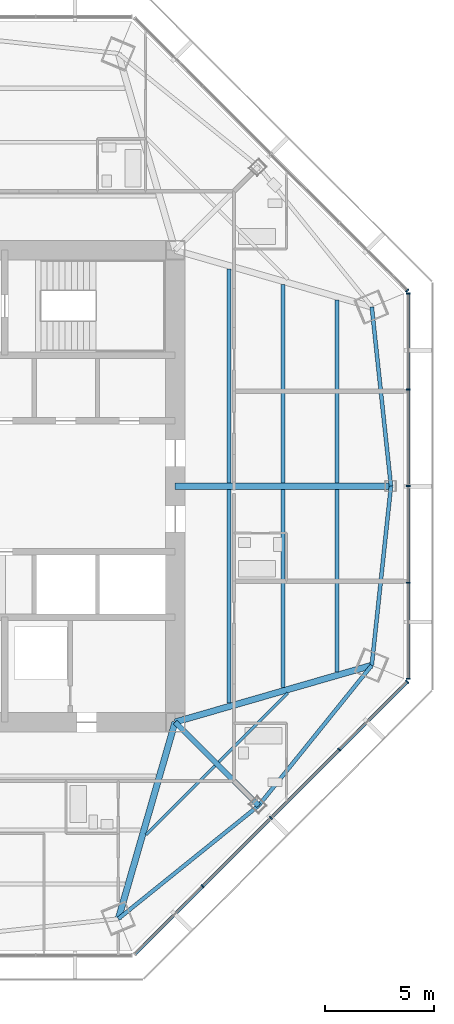
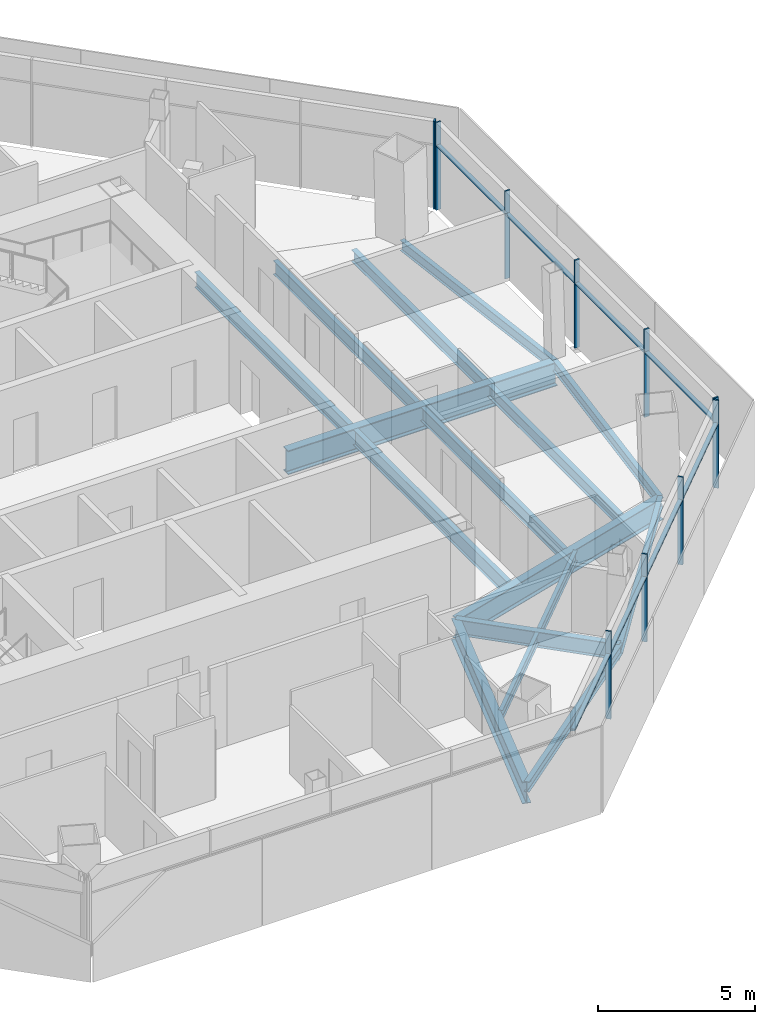
# One storey, part 4 of 15: 18 members, 16 beams, 3 elements without a shape of their own.
"""IFC4 building model written with IfcOpenShell, lengths in metres."""

from ifc_helpers import new_model, si_unit, direction, frame, origin, origin_2d, place, context, subcontext, project, spatial, rectangle, i_section, extrude, source, transform, mapped, material, material_profile, profile_set, type_object, type_shapes, element, aggregate, save


model = new_model("IFC4")

# Units and contexts
model_context = context("Model", 3, precision=1e-05, world=origin(), true_north=direction((0.0, 1.0)))
body_context = subcontext(model_context, "Body", "Model", "MODEL_VIEW")
ifc_project = project(units=[si_unit("LENGTHUNIT", "METRE"), si_unit("AREAUNIT", "SQUARE_METRE"), si_unit("VOLUMEUNIT", "CUBIC_METRE"), si_unit("PLANEANGLEUNIT", "RADIAN"), si_unit("MASSUNIT", "GRAM", prefix="KILO")], contexts=[model_context])

# Site, building, storey
site_placement = place(None, origin())
site = spatial("IfcSite", under=ifc_project, at=site_placement, CompositionType="ELEMENT")
building_placement = place(site_placement, origin())
building = spatial("IfcBuilding", under=site, at=building_placement, Name="Mashrafa Tower", CompositionType="ELEMENT")
storey_placement = place(building_placement, frame((0.0, 0.0, 231.199951171875)))
storey = spatial("IfcBuildingStorey", under=building, at=storey_placement, Name="L54", CompositionType="ELEMENT", Elevation=231.199951171875)

# Beams
ifc_material_1 = material(Name="Steel ASTM A992", Category="steel")
ifc_material_profile_1 = material_profile(ifc_material_1, i_section(OverallWidth=0.140380859375, OverallDepth=0.40380859375, WebThickness=0.007080078125, FlangeThickness=0.01123046875, FilletRadius=0.01025390625, at=origin_2d()), Name="W16X31")
ifc_profile_set_1 = profile_set([ifc_material_profile_1], Name="Steel ASTM A992")
beam_type_1 = type_object("IfcBeamType", Name="Beam W16X31", PredefinedType="BEAM", material=ifc_profile_set_1)
for number, where, z_axis, x_axis, name in (
    (1, (12.630859375, -12.792236328125, -0.40185546875), (-0.707106781187, -0.707106781187, 0.0), (0.707106781187, -0.707106781187, 0.0), "Floor beam L54 024"),
    (2, (15.960205078125, -9.462890625, -0.40185546875), (-0.707106781187, -0.707106781187, 0.0), (0.707106781187, -0.707106781187, 0.0), "Floor beam L54 030"),
):
    element("IfcBeam", number, at=place(storey_placement, frame(where, z_axis=z_axis, x_axis=x_axis)), inside=storey, type_object=beam_type_1, Name=name, PredefinedType="BEAM", context=body_context, shape_type="SweptSolid", body=[
        extrude(i_section(OverallWidth=0.140380859375, OverallDepth=0.40380859375, WebThickness=0.007080078125, FlangeThickness=0.01123046875, FilletRadius=0.01025390625, at=origin_2d()), origin(), (0.0, 0.0, 1.0), 4.480224609375),
    ])
ifc_material_2 = material(Name="Steel ASTM A992", Category="steel")
ifc_material_profile_2 = material_profile(ifc_material_2, i_section(OverallWidth=0.177734375, OverallDepth=0.406494140625, WebThickness=0.0078125, FlangeThickness=0.012939453125, FilletRadius=0.01025390625, at=origin_2d()), Name="W16X40")
ifc_profile_set_2 = profile_set([ifc_material_profile_2], Name="Steel ASTM A992")
beam_type_2 = type_object("IfcBeamType", Name="Beam W16X40", PredefinedType="BEAM", material=ifc_profile_set_2)
for number, where, z_axis, x_axis, name in (
    (3, (8.2021484375, -19.8017578125, -0.403076171875), (0.778379448753, 0.627794101405, 0.0), (-0.627794101405, 0.778379448753, 0.0), "Spandrel beam L54 058"),
    (4, (14.623046875, -14.623046875, -0.403076171875), (0.627794101405, 0.778379448753, 0.0), (-0.778379448753, 0.627794101405, 0.0), "Spandrel beam L54 060"),
    (5, (19.8017578125, -8.2021484375, -0.403076171875), (0.106487143037, 0.994314079337, 0.0), (-0.994314079337, 0.106487143037, 0.0), "Spandrel beam L54 062"),
    (6, (20.68017578125, 0.0, -0.403076171875), (-0.106487143037, 0.994314079337, 0.0), (-0.994314079337, -0.106487143037, 0.0), "Spandrel beam L54 064"),
):
    element("IfcBeam", number, at=place(storey_placement, frame(where, z_axis=z_axis, x_axis=x_axis)), inside=storey, type_object=beam_type_2, Name=name, PredefinedType="BEAM", context=body_context, shape_type="SweptSolid", body=[
        extrude(i_section(OverallWidth=0.177734375, OverallDepth=0.406494140625, WebThickness=0.0078125, FlangeThickness=0.012939453125, FilletRadius=0.01025390625, at=origin_2d()), origin(), (0.0, 0.0, 1.0), 8.2490234375),
    ])
ifc_material_3 = material(Name="Steel ASTM A992", Category="steel")
ifc_material_profile_3 = material_profile(ifc_material_3, i_section(OverallWidth=0.191162109375, OverallDepth=0.459716796875, WebThickness=0.010009765625, FlangeThickness=0.01611328125, FilletRadius=0.01025390625, at=origin_2d()), Name="W18X55")
ifc_profile_set_3 = profile_set([ifc_material_profile_3], Name="Steel ASTM A992")
beam_type_3 = type_object("IfcBeamType", Name="Beam W18X55", PredefinedType="BEAM", material=ifc_profile_set_3)
for number, where, z_axis, x_axis, name in (
    (7, (18.210205078125, -0.15380859375, -0.429931640625), (0.0, -1.0, 0.0), (1.0, 0.0, 0.0), "Floor beam L54 031"),
    (8, (18.210205078125, 8.509521484375, -0.429931640625), (0.0, -1.0, 0.0), (1.0, 0.0, 0.0), "Floor beam L54 032"),
):
    element("IfcBeam", number, at=place(storey_placement, frame(where, z_axis=z_axis, x_axis=x_axis)), inside=storey, type_object=beam_type_3, Name=name, PredefinedType="BEAM", context=body_context, shape_type="SweptSolid", body=[
        extrude(i_section(OverallWidth=0.191162109375, OverallDepth=0.459716796875, WebThickness=0.010009765625, FlangeThickness=0.01611328125, FilletRadius=0.01025390625, at=origin_2d()), origin(), (0.0, 0.0, 1.0), 8.355712890625),
    ])
ifc_material_4 = material(Name="Steel ASTM A992", Category="steel")
ifc_material_profile_4 = material_profile(ifc_material_4, i_section(OverallWidth=0.1650390625, OverallDepth=0.52587890625, WebThickness=0.0087890625, FlangeThickness=0.011474609375, FilletRadius=0.0126953125, at=origin_2d()), Name="W21X44")
ifc_profile_set_4 = profile_set([ifc_material_profile_4], Name="Steel ASTM A992")
beam_type_4 = type_object("IfcBeamType", Name="Beam W21X44", PredefinedType="BEAM", material=ifc_profile_set_4)
for number, where, z_axis, x_axis, name in (
    (9, (15.739990234375, -0.15380859375, -0.462890625), (0.0, -1.0, 0.0), (1.0, 0.0, 0.0), "Floor beam L54 028"),
    (10, (15.739990234375, 9.222412109375, -0.462890625), (0.0, -1.0, 0.0), (1.0, 0.0, 0.0), "Floor beam L54 029"),
):
    element("IfcBeam", number, at=place(storey_placement, frame(where, z_axis=z_axis, x_axis=x_axis)), inside=storey, type_object=beam_type_4, Name=name, PredefinedType="BEAM", context=body_context, shape_type="SweptSolid", body=[
        extrude(i_section(OverallWidth=0.1650390625, OverallDepth=0.52587890625, WebThickness=0.0087890625, FlangeThickness=0.011474609375, FilletRadius=0.0126953125, at=origin_2d()), origin(), (0.0, 0.0, 1.0), 9.068603515625),
    ])
ifc_material_5 = material(Name="Steel ASTM A992", Category="steel")
ifc_material_profile_5 = material_profile(ifc_material_5, i_section(OverallWidth=0.177978515625, OverallDepth=0.599365234375, WebThickness=0.010009765625, FlangeThickness=0.012939453125, FilletRadius=0.012939453125, at=origin_2d()), Name="W24X55")
ifc_profile_set_5 = profile_set([ifc_material_profile_5], Name="Steel ASTM A992")
beam_type_5 = type_object("IfcBeamType", Name="Beam W24X55", PredefinedType="BEAM", material=ifc_profile_set_5)
for number, where, z_axis, x_axis, name in (
    (11, (13.27001953125, -0.15380859375, -0.499755859375), (0.0, -1.0, 0.0), (1.0, 0.0, 0.0), "Floor beam L54 026"),
    (12, (13.27001953125, 9.935302734375, -0.499755859375), (0.0, -1.0, 0.0), (1.0, 0.0, 0.0), "Floor beam L54 027"),
):
    element("IfcBeam", number, at=place(storey_placement, frame(where, z_axis=z_axis, x_axis=x_axis)), inside=storey, type_object=beam_type_5, Name=name, PredefinedType="BEAM", context=body_context, shape_type="SweptSolid", body=[
        extrude(i_section(OverallWidth=0.177978515625, OverallDepth=0.599365234375, WebThickness=0.010009765625, FlangeThickness=0.012939453125, FilletRadius=0.012939453125, at=origin_2d()), origin(), (0.0, 0.0, 1.0), 9.781494140625),
    ])
ifc_material_6 = material(Name="Steel ASTM A992", Category="steel")
ifc_material_profile_6 = material_profile(ifc_material_6, i_section(OverallWidth=0.228271484375, OverallDepth=0.607177734375, WebThickness=0.01123046875, FlangeThickness=0.017333984375, FilletRadius=0.0126953125, at=origin_2d()), Name="W24X76")
ifc_profile_set_6 = profile_set([ifc_material_profile_6], Name="Steel ASTM A992")
beam_type_6 = type_object("IfcBeamType", Name="Beam W24X76", PredefinedType="BEAM", material=ifc_profile_set_6)
beam_1_placement = place(storey_placement, frame((10.800048828125, -10.800048828125, -0.50341796875), z_axis=(0.707106781187, -0.707106781187, 0.0), x_axis=(0.707106781187, 0.707106781187, 0.0)))
element("IfcBeam", 13, at=beam_1_placement, inside=storey, type_object=beam_type_6, Name="Radial girder L54 043", PredefinedType="BEAM", context=body_context, shape_type="SweptSolid", body=[
    extrude(i_section(OverallWidth=0.228271484375, OverallDepth=0.607177734375, WebThickness=0.01123046875, FlangeThickness=0.017333984375, FilletRadius=0.0126953125, at=origin_2d()), origin(), (0.0, 0.0, 1.0), 5.406494140625),
])
ifc_material_7 = material(Name="Steel ASTM A992", Category="steel")
ifc_material_profile_7 = material_profile(ifc_material_7, i_section(OverallWidth=0.2919921875, OverallDepth=0.845703125, WebThickness=0.015380859375, FlangeThickness=0.0244140625, FilletRadius=0.017333984375, at=origin_2d()), Name="W33X141")
ifc_profile_set_7 = profile_set([ifc_material_profile_7], Name="Steel ASTM A992")
beam_type_7 = type_object("IfcBeamType", Name="Beam W33X141", PredefinedType="BEAM", material=ifc_profile_set_7)
for number, where, z_axis, x_axis, name in (
    (14, (10.800048828125, -10.800048828125, -0.622802734375), (-0.277284169178, -0.960787952424, 0.0), (0.960787952424, -0.277284169178, 0.0), "Radial girder L54 042"),
    (15, (10.800048828125, -10.800048828125, -0.622802734375), (0.960787952424, 0.277284169178, 0.0), (-0.277284169178, 0.960787952424, 0.0), "Radial girder L54 044"),
):
    element("IfcBeam", number, at=place(storey_placement, frame(where, z_axis=z_axis, x_axis=x_axis)), inside=storey, type_object=beam_type_7, Name=name, PredefinedType="BEAM", context=body_context, shape_type="SweptSolid", body=[
        extrude(i_section(OverallWidth=0.2919921875, OverallDepth=0.845703125, WebThickness=0.015380859375, FlangeThickness=0.0244140625, FilletRadius=0.017333984375, at=origin_2d()), origin(), (0.0, 0.0, 1.0), 9.369140625),
    ])
ifc_material_8 = material(Name="Steel ASTM A992", Category="steel")
ifc_material_profile_8 = material_profile(ifc_material_8, i_section(OverallWidth=0.307373046875, OverallDepth=0.927001953125, WebThickness=0.01953125, FlangeThickness=0.031982421875, FilletRadius=0.01904296875, at=origin_2d()), Name="W36X194")
ifc_profile_set_8 = profile_set([ifc_material_profile_8], Name="Steel ASTM A992")
beam_type_8 = type_object("IfcBeamType", Name="Beam W36X194", PredefinedType="BEAM", material=ifc_profile_set_8)
beam_2_placement = place(storey_placement, frame((10.800048828125, 0.0, -0.66357421875), z_axis=(1.0, 0.0, 0.0), x_axis=(0.0, 1.0, 0.0)))
element("IfcBeam", 16, at=beam_2_placement, inside=storey, type_object=beam_type_8, Name="Radial girder L54 045", PredefinedType="BEAM", context=body_context, shape_type="SweptSolid", body=[
    extrude(i_section(OverallWidth=0.307373046875, OverallDepth=0.927001953125, WebThickness=0.01953125, FlangeThickness=0.031982421875, FilletRadius=0.01904296875, at=origin_2d()), origin(), (0.0, 0.0, 1.0), 9.880126953125),
])

# Curtain wall, members
ifc_material_9 = material(Name="Unitised aluminium curtain wall", Category="aluminium")
curtain_wall_type = type_object("IfcCurtainWallType", Name="Apartment curtain wall, zone 3 CW-C 180 deep", PredefinedType="NOTDEFINED", material=ifc_material_9)
curtain_wall_1_placement = place(storey_placement, origin())
curtain_wall_1 = element("IfcCurtainWall", 17, at=curtain_wall_1_placement, inside=storey, type_object=curtain_wall_type, Name="Apartment curtain wall, zone 3 L54 east", PredefinedType="NOTDEFINED")
ifc_material_10 = material(Name="Extruded aluminium mullion", Category="aluminium")
ifc_material_profile_9 = material_profile(ifc_material_10, rectangle(XDim=0.179931640625, YDim=0.06005859375, at=origin_2d()), Name="Mullion 60x180")
ifc_profile_set_9 = profile_set([ifc_material_profile_9], Name="Extruded aluminium mullion")
member_type_1 = type_object("IfcMemberType", Name="Mullion CW-C 60 x 180", PredefinedType="MULLION", material=ifc_profile_set_9)
shared_shape_1 = source(origin(), body_context, "Body", "SweptSolid", [
    extrude(rectangle(XDim=0.179931640625, YDim=0.06005859375, at=origin_2d()), origin(), (0.0, 0.0, 1.0), 3.400146484375),
])
type_shapes(member_type_1, [shared_shape_1])
member_1_placement = place(storey_placement, frame((21.474365234375, -8.817626953125, 0.0), z_axis=(0.0, 0.0, 1.0), x_axis=(-1.0, 0.0, 0.0)))
member_1 = element("IfcMember", 18, at=member_1_placement, type_object=member_type_1, Name="CW-C mullion 1", PredefinedType="MULLION", context=body_context, shape_type="MappedRepresentation", body=[
    mapped(shared_shape_1, transform((0.0, 0.0, 0.0))),
])
member_2_placement = place(storey_placement, frame((21.474365234375, -4.423828125, 0.0), z_axis=(0.0, 0.0, 1.0), x_axis=(-1.0, 0.0, 0.0)))
member_2 = element("IfcMember", 19, at=member_2_placement, type_object=member_type_1, Name="CW-C mullion 2", PredefinedType="MULLION", context=body_context, shape_type="MappedRepresentation", body=[
    mapped(shared_shape_1, transform((0.0, 0.0, 0.0))),
])
member_3_placement = place(storey_placement, frame((21.474365234375, 0.0, 0.0), z_axis=(0.0, 0.0, 1.0), x_axis=(-1.0, 0.0, 0.0)))
member_3 = element("IfcMember", 20, at=member_3_placement, type_object=member_type_1, Name="CW-C mullion 3", PredefinedType="MULLION", context=body_context, shape_type="MappedRepresentation", body=[
    mapped(shared_shape_1, transform((0.0, 0.0, 0.0))),
])
member_4_placement = place(storey_placement, frame((21.474365234375, 4.423828125, 0.0), z_axis=(0.0, 0.0, 1.0), x_axis=(-1.0, 0.0, 0.0)))
member_4 = element("IfcMember", 21, at=member_4_placement, type_object=member_type_1, Name="CW-C mullion 4", PredefinedType="MULLION", context=body_context, shape_type="MappedRepresentation", body=[
    mapped(shared_shape_1, transform((0.0, 0.0, 0.0))),
])
member_5_placement = place(storey_placement, frame((21.474365234375, 8.817626953125, 0.0), z_axis=(0.0, 0.0, 1.0), x_axis=(-1.0, 0.0, 0.0)))
member_5 = element("IfcMember", 22, at=member_5_placement, type_object=member_type_1, Name="CW-C mullion 5", PredefinedType="MULLION", context=body_context, shape_type="MappedRepresentation", body=[
    mapped(shared_shape_1, transform((0.0, 0.0, 0.0))),
])

# Curtain wall, member
curtain_wall_2_placement = place(storey_placement, origin())
curtain_wall_2 = element("IfcCurtainWall", 23, at=curtain_wall_2_placement, inside=storey, type_object=curtain_wall_type, Name="Apartment curtain wall, zone 3 L54 north-east", PredefinedType="NOTDEFINED")
member_6_placement = place(storey_placement, frame((21.419677734375, 8.94970703125, 0.0), z_axis=(0.0, 0.0, 1.0), x_axis=(-0.707106781187, -0.707106781187, 0.0)))
member_6 = element("IfcMember", 24, at=member_6_placement, type_object=member_type_1, Name="CW-C mullion 1", PredefinedType="MULLION", context=body_context, shape_type="MappedRepresentation", body=[
    mapped(shared_shape_1, transform((0.0, 0.0, 0.0))),
])
aggregate(curtain_wall_2, [member_6])

# Curtain wall, members
curtain_wall_3_placement = place(storey_placement, origin())
curtain_wall_3 = element("IfcCurtainWall", 25, at=curtain_wall_3_placement, inside=storey, type_object=curtain_wall_type, Name="Apartment curtain wall, zone 3 L54 south-east", PredefinedType="NOTDEFINED")
member_7_placement = place(storey_placement, frame((12.056640625, -18.312744140625, 0.0), z_axis=(0.0, 0.0, 1.0), x_axis=(-0.707106781187, 0.707106781187, 0.0)))
member_7 = element("IfcMember", 26, at=member_7_placement, type_object=member_type_1, Name="CW-C mullion 2", PredefinedType="MULLION", context=body_context, shape_type="MappedRepresentation", body=[
    mapped(shared_shape_1, transform((0.0, 0.0, 0.0))),
])
member_8_placement = place(storey_placement, frame((15.184814453125, -15.184814453125, 0.0), z_axis=(0.0, 0.0, 1.0), x_axis=(-0.707106781187, 0.707106781187, 0.0)))
member_8 = element("IfcMember", 27, at=member_8_placement, type_object=member_type_1, Name="CW-C mullion 3", PredefinedType="MULLION", context=body_context, shape_type="MappedRepresentation", body=[
    mapped(shared_shape_1, transform((0.0, 0.0, 0.0))),
])
member_9_placement = place(storey_placement, frame((18.312744140625, -12.056640625, 0.0), z_axis=(0.0, 0.0, 1.0), x_axis=(-0.707106781187, 0.707106781187, 0.0)))
member_9 = element("IfcMember", 28, at=member_9_placement, type_object=member_type_1, Name="CW-C mullion 4", PredefinedType="MULLION", context=body_context, shape_type="MappedRepresentation", body=[
    mapped(shared_shape_1, transform((0.0, 0.0, 0.0))),
])
member_10_placement = place(storey_placement, frame((21.419677734375, -8.94970703125, 0.0), z_axis=(0.0, 0.0, 1.0), x_axis=(-0.707106781187, 0.707106781187, 0.0)))
member_10 = element("IfcMember", 29, at=member_10_placement, type_object=member_type_1, Name="CW-C mullion 5", PredefinedType="MULLION", context=body_context, shape_type="MappedRepresentation", body=[
    mapped(shared_shape_1, transform((0.0, 0.0, 0.0))),
])

# Member
ifc_material_11 = material(Name="Extruded aluminium transom", Category="aluminium")
ifc_material_profile_10 = material_profile(ifc_material_11, rectangle(XDim=0.14404296875, YDim=0.074951171875, at=origin_2d()), Name="Transom 75x144")
ifc_profile_set_10 = profile_set([ifc_material_profile_10], Name="Extruded aluminium transom")
member_type_2 = type_object("IfcMemberType", Name="Transom CW-C 75 x 144", PredefinedType="MULLION", material=ifc_profile_set_10)
shared_shape_2 = source(origin(), body_context, "Body", "SweptSolid", [
    extrude(rectangle(XDim=0.14404296875, YDim=0.074951171875, at=origin_2d()), origin(), (0.0, 0.0, 1.0), 4.333740234375),
])
member_11_placement = place(storey_placement, frame((21.474365234375, -8.78759765625, 2.5), z_axis=(0.0, 1.0, 0.0), x_axis=(-1.0, 0.0, 0.0)))
member_11 = element("IfcMember", 30, at=member_11_placement, type_object=member_type_2, Name="CW-C transom 1", PredefinedType="MULLION", context=body_context, shape_type="MappedRepresentation", body=[
    mapped(shared_shape_2, transform((0.0, 0.0, 0.0))),
])

member_12_placement = place(storey_placement, frame((21.474365234375, 4.453857421875, 2.5), z_axis=(0.0, 1.0, 0.0), x_axis=(-1.0, 0.0, 0.0)))
member_12 = element("IfcMember", 31, at=member_12_placement, type_object=member_type_2, Name="CW-C transom 4", PredefinedType="MULLION", context=body_context, shape_type="MappedRepresentation", body=[
    mapped(shared_shape_2, transform((0.0, 0.0, 0.0))),
])

member_13_placement = place(storey_placement, frame((8.970947265625, -21.3984375, 2.5), z_axis=(0.707106781187, 0.707106781187, 0.0), x_axis=(-0.707106781187, 0.707106781187, 0.0)))
member_13 = element("IfcMember", 32, at=member_13_placement, type_object=member_type_2, Name="CW-C transom 1", PredefinedType="MULLION", context=body_context, shape_type="MappedRepresentation", body=[
    mapped(shared_shape_2, transform((0.0, 0.0, 0.0))),
])

member_14_placement = place(storey_placement, frame((18.333984375, -12.035400390625, 2.5), z_axis=(0.707106781187, 0.707106781187, 0.0), x_axis=(-0.707106781187, 0.707106781187, 0.0)))
member_14 = element("IfcMember", 33, at=member_14_placement, type_object=member_type_2, Name="CW-C transom 4", PredefinedType="MULLION", context=body_context, shape_type="MappedRepresentation", body=[
    mapped(shared_shape_2, transform((0.0, 0.0, 0.0))),
])

shared_shape_3 = source(origin(), body_context, "Body", "SweptSolid", [
    extrude(rectangle(XDim=0.14404296875, YDim=0.074951171875, at=origin_2d()), origin(), (0.0, 0.0, 1.0), 4.36376953125),
])
type_shapes(member_type_2, [shared_shape_2, shared_shape_3])
member_15_placement = place(storey_placement, frame((21.474365234375, -4.393798828125, 2.5), z_axis=(0.0, 1.0, 0.0), x_axis=(-1.0, 0.0, 0.0)))
member_15 = element("IfcMember", 34, at=member_15_placement, type_object=member_type_2, Name="CW-C transom 2", PredefinedType="MULLION", context=body_context, shape_type="MappedRepresentation", body=[
    mapped(shared_shape_3, transform((0.0, 0.0, 0.0))),
])

member_16_placement = place(storey_placement, frame((21.474365234375, 0.030029296875, 2.5), z_axis=(0.0, 1.0, 0.0), x_axis=(-1.0, 0.0, 0.0)))
member_16 = element("IfcMember", 35, at=member_16_placement, type_object=member_type_2, Name="CW-C transom 3", PredefinedType="MULLION", context=body_context, shape_type="MappedRepresentation", body=[
    mapped(shared_shape_3, transform((0.0, 0.0, 0.0))),
])

aggregate(curtain_wall_1, [member_1, member_2, member_3, member_4, member_5, member_11, member_15, member_16, member_12])

member_17_placement = place(storey_placement, frame((12.077880859375, -18.29150390625, 2.5), z_axis=(0.707106781187, 0.707106781187, 0.0), x_axis=(-0.707106781187, 0.707106781187, 0.0)))
member_17 = element("IfcMember", 36, at=member_17_placement, type_object=member_type_2, Name="CW-C transom 2", PredefinedType="MULLION", context=body_context, shape_type="MappedRepresentation", body=[
    mapped(shared_shape_3, transform((0.0, 0.0, 0.0))),
])

member_18_placement = place(storey_placement, frame((15.205810546875, -15.16357421875, 2.5), z_axis=(0.707106781187, 0.707106781187, 0.0), x_axis=(-0.707106781187, 0.707106781187, 0.0)))
member_18 = element("IfcMember", 37, at=member_18_placement, type_object=member_type_2, Name="CW-C transom 3", PredefinedType="MULLION", context=body_context, shape_type="MappedRepresentation", body=[
    mapped(shared_shape_3, transform((0.0, 0.0, 0.0))),
])

aggregate(curtain_wall_3, [member_7, member_8, member_9, member_10, member_13, member_17, member_18, member_14])

save(model, "model.ifc")
